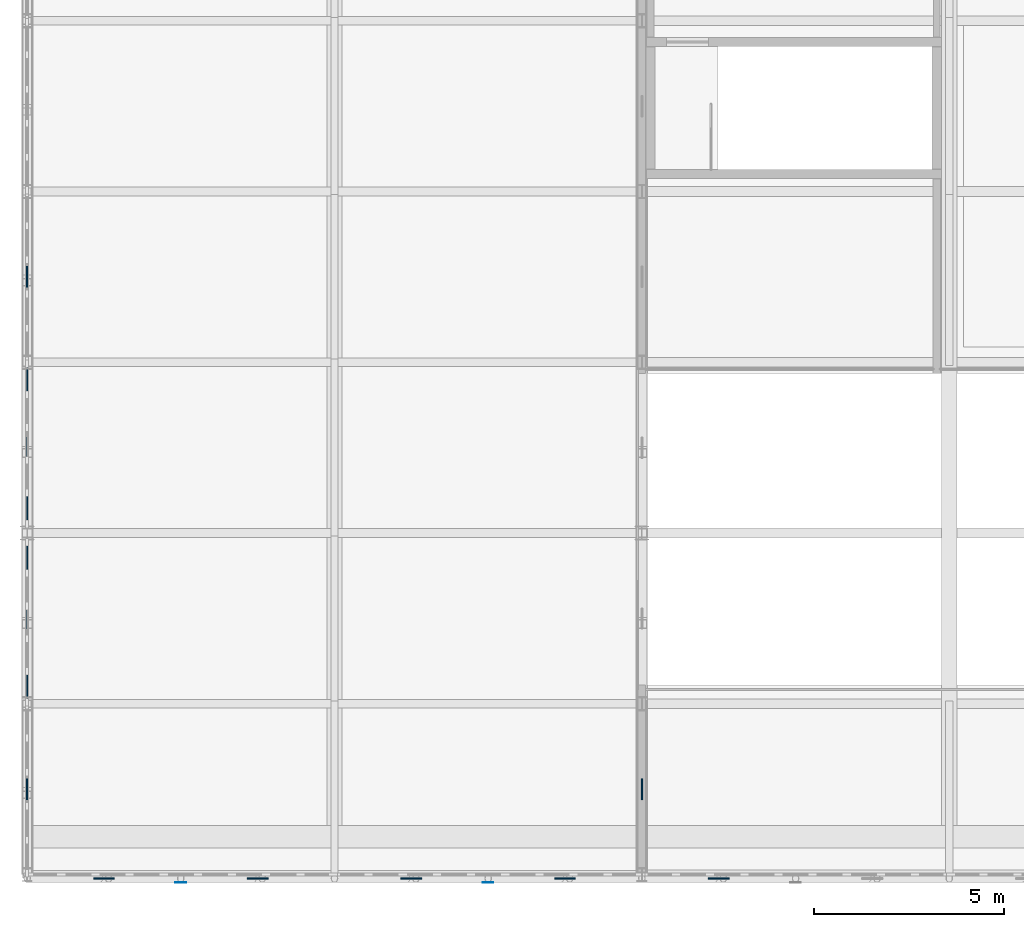
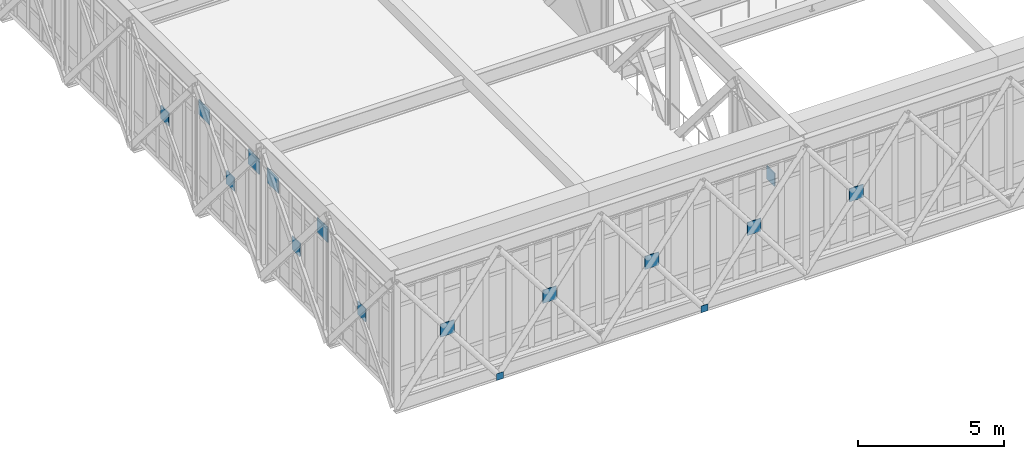
# One storey, part 51 of 70: 16 plates, 2 elements without a shape of their own.
"""IFC4 building model written with IfcOpenShell, lengths in metres."""

from ifc_helpers import new_model, si_unit, direction, frame, origin, origin_2d, place, context, subcontext, project, spatial, rectangle, extrude, material, layer, layer_set, type_object, element, aggregate, save


model = new_model("IFC4")

# Units and contexts
model_context = context("Model", 3, precision=1e-05, world=origin(), true_north=direction((0.0, 1.0)))
body_context = subcontext(model_context, "Body", "Model", "MODEL_VIEW")
ifc_project = project(units=[si_unit("LENGTHUNIT", "METRE"), si_unit("AREAUNIT", "SQUARE_METRE"), si_unit("VOLUMEUNIT", "CUBIC_METRE"), si_unit("PLANEANGLEUNIT", "RADIAN"), si_unit("MASSUNIT", "GRAM", prefix="KILO")], contexts=[model_context])

# Site, building, storey
site_placement = place(None, origin())
site = spatial("IfcSite", under=ifc_project, at=site_placement, CompositionType="ELEMENT")
building_placement = place(site_placement, origin())
building = spatial("IfcBuilding", under=site, at=building_placement, Name="Tarnveldt Square Police Headquarters", CompositionType="ELEMENT")
storey_placement = place(building_placement, frame((0.0, 0.0, 19.800048828125)))
storey = spatial("IfcBuildingStorey", under=building, at=storey_placement, Name="L04", CompositionType="ELEMENT", Elevation=19.800048828125)

# Curtain wall, plates
ifc_material_1 = material(Name="Triple-glazed low-e laminated vision glass", Category="glass")
curtain_wall_type = type_object("IfcCurtainWallType", Name="CW-LT-430x417", PredefinedType="USERDEFINED", material=ifc_material_1)
curtain_wall_1_placement = place(storey_placement, origin())
curtain_wall_1 = element("IfcCurtainWall", 1, at=curtain_wall_1_placement, inside=storey, type_object=curtain_wall_type, Name="L04 Curtain Wall CW-L04-051", ObjectType="GLAZED CURTAIN WALL", PredefinedType="USERDEFINED")
ifc_layer_1 = layer(ifc_material_1, 0.028076171875)
ifc_layer_set_1 = layer_set([ifc_layer_1], Name="Triple-glazed low-e laminated vision glass")
plate_type_1 = type_object("IfcPlateType", Name="CWP-VIS-28", PredefinedType="CURTAIN_PANEL", material=ifc_layer_set_1)
plate_1_placement = place(storey_placement, frame((8.10009765625, 11.948486328125, 3.46044921875), z_axis=(0.0, 0.0, 1.0), x_axis=(0.0, 1.0, 0.0)))
plate_1 = element("IfcPlate", 2, at=plate_1_placement, type_object=plate_type_1, Name="CW-LT21 panel 1.3", PredefinedType="CURTAIN_PANEL", context=body_context, shape_type="SweptSolid", body=[
    extrude(rectangle(XDim=0.7470703125, YDim=0.028076171875, at=origin_2d()), origin(), (0.0, 0.0, 1.0), 0.637451171875),
])
plate_2_placement = place(storey_placement, frame((8.10009765625, 15.349365234375, 3.46044921875), z_axis=(0.0, 0.0, 1.0), x_axis=(0.0, 1.0, 0.0)))
plate_2 = element("IfcPlate", 3, at=plate_2_placement, type_object=plate_type_1, Name="CW-LT21 panel 5.3", PredefinedType="CURTAIN_PANEL", context=body_context, shape_type="SweptSolid", body=[
    extrude(rectangle(XDim=0.7470703125, YDim=0.028076171875, at=origin_2d()), origin(), (0.0, 0.0, 1.0), 0.637451171875),
])
aggregate(curtain_wall_1, [plate_1, plate_2])

curtain_wall_2_placement = place(storey_placement, origin())
curtain_wall_2 = element("IfcCurtainWall", 4, at=curtain_wall_2_placement, inside=storey, type_object=curtain_wall_type, Name="L04 Curtain Wall CW-L04-052", ObjectType="GLAZED CURTAIN WALL", PredefinedType="USERDEFINED")
plate_3_placement = place(storey_placement, frame((8.10009765625, 16.650634765625, 3.46044921875), z_axis=(0.0, 0.0, 1.0), x_axis=(0.0, 1.0, 0.0)))
plate_3 = element("IfcPlate", 5, at=plate_3_placement, type_object=plate_type_1, Name="CW-LT21 panel 1.3", PredefinedType="CURTAIN_PANEL", context=body_context, shape_type="SweptSolid", body=[
    extrude(rectangle(XDim=0.7470703125, YDim=0.028076171875, at=origin_2d()), origin(), (0.0, 0.0, 1.0), 0.637451171875),
])
plate_4_placement = place(storey_placement, frame((8.10009765625, 20.051513671875, 3.46044921875), z_axis=(0.0, 0.0, 1.0), x_axis=(0.0, 1.0, 0.0)))
plate_4 = element("IfcPlate", 6, at=plate_4_placement, type_object=plate_type_1, Name="CW-LT21 panel 5.3", PredefinedType="CURTAIN_PANEL", context=body_context, shape_type="SweptSolid", body=[
    extrude(rectangle(XDim=0.7470703125, YDim=0.028076171875, at=origin_2d()), origin(), (0.0, 0.0, 1.0), 0.637451171875),
])
aggregate(curtain_wall_2, [plate_3, plate_4])

# Plates
ifc_material_2 = material(Name="Steel 350W", Category="steel")
ifc_layer_2 = layer(ifc_material_2, 0.011962890625)
ifc_layer_set_2 = layer_set([ifc_layer_2], Name="Steel 350W")
plate_type_2 = type_object("IfcPlateType", Name="PLT-CAP-12", PredefinedType="USERDEFINED", material=ifc_layer_set_2)
for number, where, z_axis, x_axis, name in (
    (7, (12.14990234375, 6.794921875, -0.783203125), (0.0, 0.0, 1.0), (1.0, 0.0, 0.0), "Node KN-LT1 HSS End Cap Plate S-L04-1"),
    (8, (20.25, 6.794921875, -0.783203125), (0.0, 0.0, 1.0), (1.0, 0.0, 0.0), "Node KN-LT1 HSS End Cap Plate S-L04-2"),
):
    element("IfcPlate", number, at=place(storey_placement, frame(where, z_axis=z_axis, x_axis=x_axis)), inside=storey, type_object=plate_type_2, Name=name, ObjectType="END CAP PLATE", PredefinedType="USERDEFINED", context=body_context, shape_type="SweptSolid", body=[
        extrude(rectangle(XDim=0.280029296875, YDim=0.011962890625, at=origin_2d()), origin(), (0.0, 0.0, 1.0), 0.280029296875),
    ])
ifc_layer_3 = layer(ifc_material_2, 0.031982421875)
ifc_layer_set_3 = layer_set([ifc_layer_3], Name="Steel 350W")
plate_type_3 = type_object("IfcPlateType", Name="PLT-GUS-32", PredefinedType="SHEET", material=ifc_layer_set_3)
for number, where, z_axis, x_axis, name in (
    (9, (10.125, 6.89990234375, 1.7236328125), (0.0, 0.0, 1.0), (1.0, 0.0, 0.0), "Command Lantern S Lattice Crossing Gusset Plate 1.1"),
    (10, (14.175048828125, 6.89990234375, 1.7236328125), (0.0, 0.0, 1.0), (1.0, 0.0, 0.0), "Command Lantern S Lattice Crossing Gusset Plate 1.2"),
    (11, (18.22509765625, 6.89990234375, 1.7236328125), (0.0, 0.0, 1.0), (1.0, 0.0, 0.0), "Command Lantern S Lattice Crossing Gusset Plate 2.1"),
    (12, (22.27490234375, 6.89990234375, 1.7236328125), (0.0, 0.0, 1.0), (1.0, 0.0, 0.0), "Command Lantern S Lattice Crossing Gusset Plate 2.2"),
    (13, (26.324951171875, 6.89990234375, 1.7236328125), (0.0, 0.0, 1.0), (1.0, 0.0, 0.0), "Command Lantern S Lattice Crossing Gusset Plate 3.1"),
):
    element("IfcPlate", number, at=place(storey_placement, frame(where, z_axis=z_axis, x_axis=x_axis)), inside=storey, type_object=plate_type_3, Name=name, PredefinedType="SHEET", context=body_context, shape_type="SweptSolid", body=[
        extrude(rectangle(XDim=0.550048828125, YDim=0.031982421875, at=origin_2d()), origin(), (0.0, 0.0, 1.0), 0.550048828125),
    ])
ifc_layer_4 = layer(ifc_material_2, 0.0419921875)
ifc_layer_set_4 = layer_set([ifc_layer_4], Name="Steel 350W")
plate_type_4 = type_object("IfcPlateType", Name="PLT-GUS-42", PredefinedType="SHEET", material=ifc_layer_set_4)
for number, where, z_axis, x_axis, name in (
    (14, (8.10009765625, 22.75, 1.7236328125), (0.0, 0.0, 1.0), (1.0, 0.0, 0.0), "Cantilever Truss CT-1 L04 Centre Gusset Plate 3"),
    (15, (8.10009765625, 18.25, 1.7236328125), (0.0, 0.0, 1.0), (1.0, 0.0, 0.0), "Cantilever Truss CT-1 L04 Centre Gusset Plate 4"),
    (16, (8.10009765625, 13.75, 1.7236328125), (0.0, 0.0, 1.0), (1.0, 0.0, 0.0), "Cantilever Truss CT-1 L04 Centre Gusset Plate 5"),
    (17, (8.10009765625, 9.25, 1.7236328125), (0.0, 0.0, 1.0), (1.0, 0.0, 0.0), "Cantilever Truss CT-1 L04 Centre Gusset Plate 6"),
    (18, (24.300048828125, 9.25, 1.7236328125), (0.0, 0.0, 1.0), (1.0, 0.0, 0.0), "Cantilever Truss CT-2 L04 Centre Gusset Plate 6"),
):
    element("IfcPlate", number, at=place(storey_placement, frame(where, z_axis=z_axis, x_axis=x_axis)), inside=storey, type_object=plate_type_4, Name=name, PredefinedType="SHEET", context=body_context, shape_type="SweptSolid", body=[
        extrude(rectangle(XDim=0.0419921875, YDim=0.550048828125, at=origin_2d()), origin(), (0.0, 0.0, 1.0), 0.550048828125),
    ])

save(model, "model.ifc")
